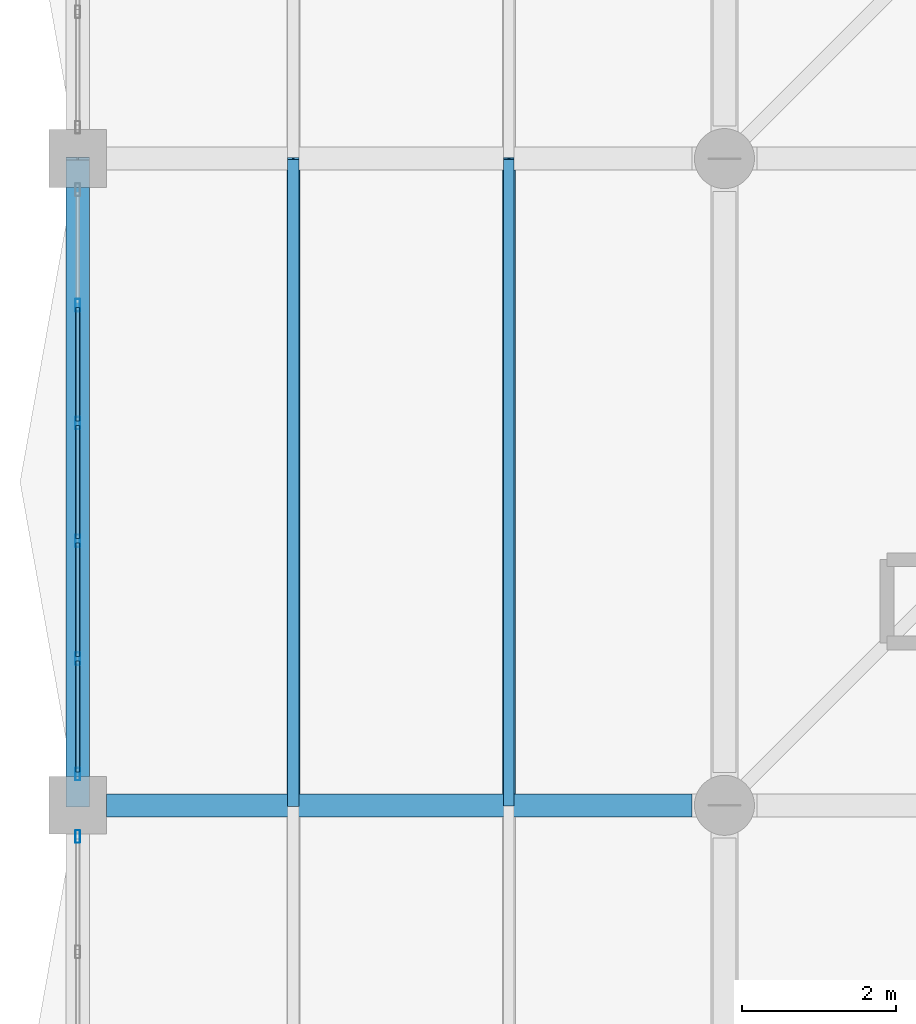
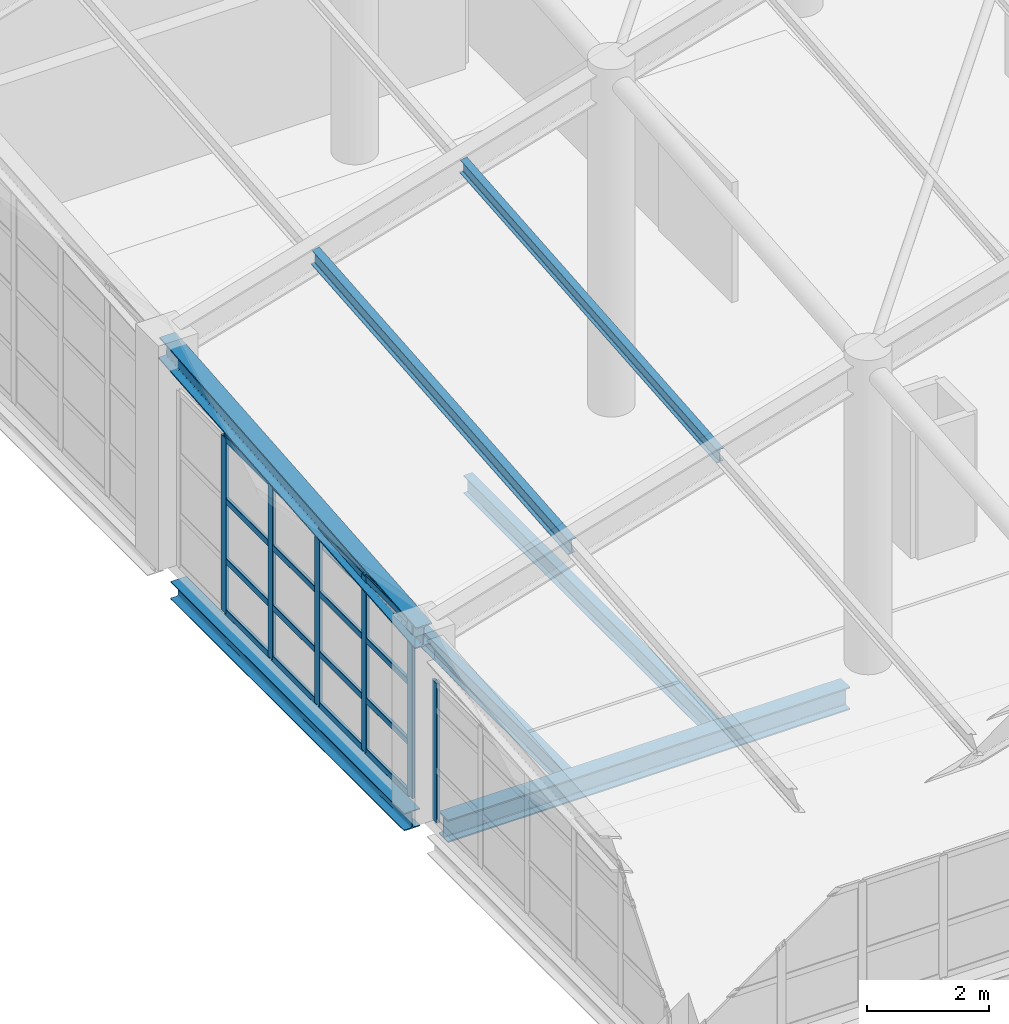
# One storey, part 34 of 95: 25 members, 4 beams, 2 elements without a shape of their own.
"""IFC4 building model written with IfcOpenShell, lengths in metres."""

from ifc_helpers import new_model, si_unit, direction, frame, origin, origin_2d, place, context, subcontext, project, spatial, hollow_rectangle, i_section, extrude, material, layer, layer_set, material_profile, profile_set, type_object, element, aggregate, save


model = new_model("IFC4")

# Units and contexts
model_context = context("Model", 3, precision=1e-05, world=origin(), true_north=direction((0.0, 1.0)))
body_context = subcontext(model_context, "Body", "Model", "MODEL_VIEW")
ifc_project = project(units=[si_unit("LENGTHUNIT", "METRE"), si_unit("AREAUNIT", "SQUARE_METRE"), si_unit("VOLUMEUNIT", "CUBIC_METRE"), si_unit("PLANEANGLEUNIT", "RADIAN"), si_unit("MASSUNIT", "GRAM", prefix="KILO"), si_unit("THERMODYNAMICTEMPERATUREUNIT", "KELVIN"), si_unit("POWERUNIT", "WATT")], contexts=[model_context])

# Site, building, storey
site_placement = place(None, origin())
site = spatial("IfcSite", under=ifc_project, at=site_placement, CompositionType="ELEMENT")
building_placement = place(site_placement, origin())
building = spatial("IfcBuilding", under=site, at=building_placement, Name="Mavoryth Pier Ferry Terminal", CompositionType="ELEMENT")
storey_placement = place(building_placement, frame((0.0, 0.0, 9.60009765625)))
storey = spatial("IfcBuildingStorey", under=building, at=storey_placement, Name="L02", CompositionType="ELEMENT", Elevation=9.60009765625)

# Beam
ifc_material_1 = material(Name="Steel S355J2", Category="steel")
ifc_material_profile_1 = material_profile(ifc_material_1, i_section(OverallWidth=0.300048828125, OverallDepth=0.449951171875, WebThickness=0.013916015625, FlangeThickness=0.02587890625, FilletRadius=0.027099609375, at=origin_2d()), Name="HEB 450", Category="steel")
ifc_profile_set_1 = profile_set([ifc_material_profile_1], Name="Steel S355J2 - HEB 450")
beam_type_1 = type_object("IfcBeamType", Name="Beam-Steel-HEB450", PredefinedType="BEAM", material=ifc_profile_set_1)
beam_1_placement = place(storey_placement, frame((0.375, 80.800048828125, -0.505126953125), z_axis=(1.0, 0.0, 0.0), x_axis=(0.0, 1.0, 0.0)))
element("IfcBeam", 1, at=beam_1_placement, inside=storey, type_object=beam_type_1, Name="Beam B02-SB02-0608", PredefinedType="BEAM", context=body_context, shape_type="SweptSolid", body=[
    extrude(i_section(OverallWidth=0.300048828125, OverallDepth=0.449951171875, WebThickness=0.013916015625, FlangeThickness=0.02587890625, FilletRadius=0.027099609375, at=origin_2d()), origin(), (0.0, 0.0, 1.0), 7.60009765625),
])

# Member
ifc_material_profile_2 = material_profile(ifc_material_1, i_section(OverallWidth=0.300048828125, OverallDepth=0.449951171875, WebThickness=0.013916015625, FlangeThickness=0.02587890625, FilletRadius=0.027099609375, at=origin_2d()), Name="HEB 450", Category="steel")
ifc_profile_set_2 = profile_set([ifc_material_profile_2], Name="Steel S355J2 - HEB 450")
member_type_1 = type_object("IfcMemberType", Name="Chord-Eave-HEB450", PredefinedType="CHORD", material=ifc_profile_set_2)
member_1_placement = place(storey_placement, frame((0.0, 80.800048828125, 3.443603515625), z_axis=(0.0, 0.996405760474, 0.084708680154), x_axis=(-1.0, 0.0, 0.0)))
element("IfcMember", 2, at=member_1_placement, inside=storey, type_object=member_type_1, Name="Steel Member MB-L02-0130", PredefinedType="CHORD", context=body_context, shape_type="SweptSolid", body=[
    extrude(i_section(OverallWidth=0.300048828125, OverallDepth=0.449951171875, WebThickness=0.013916015625, FlangeThickness=0.02587890625, FilletRadius=0.027099609375, at=origin_2d()), origin(), (0.0, 0.0, 1.0), 8.43017578125),
])

# Beams
ifc_material_profile_3 = material_profile(ifc_material_1, i_section(OverallWidth=0.169921875, OverallDepth=0.360107421875, WebThickness=0.008056640625, FlangeThickness=0.0126953125, FilletRadius=0.01806640625, at=origin_2d()), Name="IPE 360", Category="steel")
ifc_profile_set_3 = profile_set([ifc_material_profile_3], Name="Steel S355J2 - IPE 360")
beam_type_2 = type_object("IfcBeamType", Name="Joist-Steel-IPE360", PredefinedType="JOIST", material=ifc_profile_set_3)
for number, where, z_axis, x_axis, name in (
    (3, (2.800048828125, 80.949951171875, -0.460205078125), (0.0, 1.0, 0.0), (-1.0, 0.0, 0.0), "Beam B02-SJ02-0655"),
    (4, (5.60009765625, 80.949951171875, -0.460205078125), (0.0, 1.0, 0.0), (-1.0, 0.0, 0.0), "Beam B02-SJ02-0656"),
):
    element("IfcBeam", number, at=place(storey_placement, frame(where, z_axis=z_axis, x_axis=x_axis)), inside=storey, type_object=beam_type_2, Name=name, PredefinedType="JOIST", context=body_context, shape_type="SweptSolid", body=[
        extrude(i_section(OverallWidth=0.169921875, OverallDepth=0.360107421875, WebThickness=0.008056640625, FlangeThickness=0.0126953125, FilletRadius=0.01806640625, at=origin_2d()), origin(), (0.0, 0.0, 1.0), 8.10009765625),
    ])

# Curtain wall, member
ifc_material_2 = material(Name="Anodised Aluminium and Solar-Control Low-E Glass", Category="aluminium")
ifc_layer = layer(ifc_material_2, 0.179931640625, Name="Anodised Aluminium and Solar-Control Low-E Glass", Category="aluminium")
ifc_layer_set = layer_set([ifc_layer], Name="Anodised Aluminium and Solar-Control Low-E Glass - CW-Concourse-Mod1400")
curtain_wall_type = type_object("IfcCurtainWallType", Name="CW-Concourse-Mod1400", PredefinedType="USERDEFINED", material=ifc_layer_set)
curtain_wall_1_placement = place(storey_placement, origin())
curtain_wall_1 = element("IfcCurtainWall", 5, at=curtain_wall_1_placement, inside=storey, type_object=curtain_wall_type, Name="Curtain Wall CW-0222-021", ObjectType="UNITISED CURTAIN WALL", PredefinedType="USERDEFINED")
ifc_material_3 = material(Name="Anodised Aluminium EN AW-6063", Category="aluminium")
ifc_material_profile_4 = material_profile(ifc_material_3, hollow_rectangle(XDim=0.06005859375, YDim=0.1650390625, WallThickness=0.00390625, InnerFilletRadius=0.00390625, OuterFilletRadius=0.008056640625, at=origin_2d()), Name="AL-MULL 165x60x4", Category="aluminium")
ifc_profile_set_4 = profile_set([ifc_material_profile_4], Name="Anodised Aluminium EN AW-6063 - AL-MULL 165x60x4")
member_type_2 = type_object("IfcMemberType", Name="Mullion-Alum-165x60", PredefinedType="MULLION", material=ifc_profile_set_4)
member_2_placement = place(storey_placement, frame((0.0, 80.39501953125, 0.0), z_axis=(0.0, 0.0, 1.0), x_axis=(1.0, 0.0, 0.0)))
member_2 = element("IfcMember", 6, at=member_2_placement, type_object=member_type_2, Name="CW01 mullion 1", PredefinedType="MULLION", context=body_context, shape_type="SweptSolid", body=[
    extrude(hollow_rectangle(XDim=0.06005859375, YDim=0.1650390625, WallThickness=0.00390625, InnerFilletRadius=0.00390625, OuterFilletRadius=0.008056640625, at=origin_2d()), origin(), (0.0, 0.0, 1.0), 2.79296875),
])
aggregate(curtain_wall_1, [member_2])

# Curtain wall, members
curtain_wall_2_placement = place(storey_placement, origin())
curtain_wall_2 = element("IfcCurtainWall", 7, at=curtain_wall_2_placement, inside=storey, type_object=curtain_wall_type, Name="Curtain Wall CW-0222-023", ObjectType="UNITISED CURTAIN WALL", PredefinedType="USERDEFINED")
member_3_placement = place(storey_placement, frame((0.0, 87.294921875, 0.0), z_axis=(0.0, 0.0, 1.0), x_axis=(1.0, 0.0, 0.0)))
member_3 = element("IfcMember", 8, at=member_3_placement, type_object=member_type_2, Name="CW01 mullion 2", PredefinedType="MULLION", context=body_context, shape_type="SweptSolid", body=[
    extrude(hollow_rectangle(XDim=0.06005859375, YDim=0.1650390625, WallThickness=0.00390625, InnerFilletRadius=0.00390625, OuterFilletRadius=0.008056640625, at=origin_2d()), origin(), (0.0, 0.0, 1.0), 3.50732421875),
])
member_4_placement = place(storey_placement, frame((0.0, 85.764892578125, 0.0), z_axis=(0.0, 0.0, 1.0), x_axis=(1.0, 0.0, 0.0)))
member_4 = element("IfcMember", 9, at=member_4_placement, type_object=member_type_2, Name="CW01 mullion 3", PredefinedType="MULLION", context=body_context, shape_type="SweptSolid", body=[
    extrude(hollow_rectangle(XDim=0.06005859375, YDim=0.1650390625, WallThickness=0.00390625, InnerFilletRadius=0.00390625, OuterFilletRadius=0.008056640625, at=origin_2d()), origin(), (0.0, 0.0, 1.0), 3.50732421875),
])
member_5_placement = place(storey_placement, frame((0.0, 84.235107421875, 0.0), z_axis=(0.0, 0.0, 1.0), x_axis=(1.0, 0.0, 0.0)))
member_5 = element("IfcMember", 10, at=member_5_placement, type_object=member_type_2, Name="CW01 mullion 4", PredefinedType="MULLION", context=body_context, shape_type="SweptSolid", body=[
    extrude(hollow_rectangle(XDim=0.06005859375, YDim=0.1650390625, WallThickness=0.00390625, InnerFilletRadius=0.00390625, OuterFilletRadius=0.008056640625, at=origin_2d()), origin(), (0.0, 0.0, 1.0), 3.50732421875),
])
member_6_placement = place(storey_placement, frame((0.0, 82.705078125, 0.0), z_axis=(0.0, 0.0, 1.0), x_axis=(1.0, 0.0, 0.0)))
member_6 = element("IfcMember", 11, at=member_6_placement, type_object=member_type_2, Name="CW01 mullion 5", PredefinedType="MULLION", context=body_context, shape_type="SweptSolid", body=[
    extrude(hollow_rectangle(XDim=0.06005859375, YDim=0.1650390625, WallThickness=0.00390625, InnerFilletRadius=0.00390625, OuterFilletRadius=0.008056640625, at=origin_2d()), origin(), (0.0, 0.0, 1.0), 3.50732421875),
])
member_7_placement = place(storey_placement, frame((0.0, 81.205078125, 0.0), z_axis=(0.0, 0.0, 1.0), x_axis=(1.0, 0.0, 0.0)))
member_7 = element("IfcMember", 12, at=member_7_placement, type_object=member_type_2, Name="CW01 mullion 6", PredefinedType="MULLION", context=body_context, shape_type="SweptSolid", body=[
    extrude(hollow_rectangle(XDim=0.06005859375, YDim=0.1650390625, WallThickness=0.00390625, InnerFilletRadius=0.00390625, OuterFilletRadius=0.008056640625, at=origin_2d()), origin(), (0.0, 0.0, 1.0), 3.50732421875),
])

# Members
ifc_material_profile_5 = material_profile(ifc_material_1, i_section(OverallWidth=0.135009765625, OverallDepth=0.27001953125, WebThickness=0.006591796875, FlangeThickness=0.01025390625, FilletRadius=0.014892578125, at=origin_2d()), Name="IPE 270", Category="steel")
ifc_profile_set_5 = profile_set([ifc_material_profile_5], Name="Steel S355J2 - IPE 270")
member_type_3 = type_object("IfcMemberType", Name="Purlin-Roof-IPE270", PredefinedType="PURLIN", material=ifc_profile_set_5)
member_8_placement = place(storey_placement, frame((5.60009765625, 80.800048828125, 5.089111328125), z_axis=(0.0, 0.9964033157, 0.084737432475), x_axis=(-1.0, 0.0, 0.0)))
element("IfcMember", 13, at=member_8_placement, inside=storey, type_object=member_type_3, Name="Steel Member MB-L02-0136", PredefinedType="PURLIN", context=body_context, shape_type="SweptSolid", body=[
    extrude(i_section(OverallWidth=0.135009765625, OverallDepth=0.27001953125, WebThickness=0.006591796875, FlangeThickness=0.01025390625, FilletRadius=0.014892578125, at=origin_2d()), origin(), (0.0, 0.0, 1.0), 8.43017578125),
])
ifc_material_profile_6 = material_profile(ifc_material_1, i_section(OverallWidth=0.14990234375, OverallDepth=0.300048828125, WebThickness=0.007080078125, FlangeThickness=0.0107421875, FilletRadius=0.014892578125, at=origin_2d()), Name="IPE 300", Category="steel")
ifc_profile_set_6 = profile_set([ifc_material_profile_6], Name="Steel S355J2 - IPE 300")
member_type_4 = type_object("IfcMemberType", Name="Purlin-Roof-IPE300", PredefinedType="PURLIN", material=ifc_profile_set_6)
member_9_placement = place(storey_placement, frame((2.800048828125, 80.800048828125, 4.25634765625), z_axis=(0.0, 0.9964033157, 0.084737432475), x_axis=(-1.0, 0.0, 0.0)))
element("IfcMember", 14, at=member_9_placement, inside=storey, type_object=member_type_4, Name="Steel Member MB-L02-0135", PredefinedType="PURLIN", context=body_context, shape_type="SweptSolid", body=[
    extrude(i_section(OverallWidth=0.14990234375, OverallDepth=0.300048828125, WebThickness=0.007080078125, FlangeThickness=0.0107421875, FilletRadius=0.014892578125, at=origin_2d()), origin(), (0.0, 0.0, 1.0), 8.43017578125),
])

# Beam
ifc_material_profile_7 = material_profile(ifc_material_1, i_section(OverallWidth=0.300048828125, OverallDepth=0.35009765625, WebThickness=0.010009765625, FlangeThickness=0.017578125, FilletRadius=0.027099609375, at=origin_2d()), Name="HEA 360", Category="steel")
ifc_profile_set_7 = profile_set([ifc_material_profile_7], Name="Steel S355J2 - HEA 360")
beam_type_3 = type_object("IfcBeamType", Name="Spandrel-Steel-HEA360", PredefinedType="SPANDREL", material=ifc_profile_set_7)
beam_2_placement = place(storey_placement, frame((0.0, 81.175048828125, -0.455078125), z_axis=(0.0, 1.0, 0.0), x_axis=(-1.0, 0.0, 0.0)))
element("IfcBeam", 15, at=beam_2_placement, inside=storey, type_object=beam_type_3, Name="Beam B02-SP03-0629", PredefinedType="SPANDREL", context=body_context, shape_type="SweptSolid", body=[
    extrude(i_section(OverallWidth=0.300048828125, OverallDepth=0.35009765625, WebThickness=0.010009765625, FlangeThickness=0.017578125, FilletRadius=0.027099609375, at=origin_2d()), origin(), (0.0, 0.0, 1.0), 7.64990234375),
])

# Member
ifc_material_profile_8 = material_profile(ifc_material_3, hollow_rectangle(XDim=0.06005859375, YDim=0.125, WallThickness=0.00390625, InnerFilletRadius=0.00390625, OuterFilletRadius=0.008056640625, at=origin_2d()), Name="AL-TRAN 125x60x4", Category="aluminium")
ifc_profile_set_8 = profile_set([ifc_material_profile_8], Name="Anodised Aluminium EN AW-6063 - AL-TRAN 125x60x4")
member_type_5 = type_object("IfcMemberType", Name="Transom-Alum-125x60", PredefinedType="USERDEFINED", material=ifc_profile_set_8)
member_10_placement = place(storey_placement, frame((0.0, 87.264892578125, 0.02978515625), z_axis=(0.0, -1.0, 0.0), x_axis=(1.0, 0.0, 0.0)))
member_10 = element("IfcMember", 16, at=member_10_placement, type_object=member_type_5, Name="CW01 transom 2.1", ObjectType="TRANSOM", PredefinedType="USERDEFINED", context=body_context, shape_type="SweptSolid", body=[
    extrude(hollow_rectangle(XDim=0.06005859375, YDim=0.125, WallThickness=0.00390625, InnerFilletRadius=0.00390625, OuterFilletRadius=0.008056640625, at=origin_2d()), origin(), (0.0, 0.0, 1.0), 1.469970703125),
])

member_11_placement = place(storey_placement, frame((0.0, 87.264892578125, 1.0498046875), z_axis=(0.0, -1.0, 0.0), x_axis=(1.0, 0.0, 0.0)))
member_11 = element("IfcMember", 17, at=member_11_placement, type_object=member_type_5, Name="CW01 transom 2.2", ObjectType="TRANSOM", PredefinedType="USERDEFINED", context=body_context, shape_type="SweptSolid", body=[
    extrude(hollow_rectangle(XDim=0.06005859375, YDim=0.125, WallThickness=0.00390625, InnerFilletRadius=0.00390625, OuterFilletRadius=0.008056640625, at=origin_2d()), origin(), (0.0, 0.0, 1.0), 1.469970703125),
])

member_12_placement = place(storey_placement, frame((0.0, 87.264892578125, 2.25), z_axis=(0.0, -1.0, 0.0), x_axis=(1.0, 0.0, 0.0)))
member_12 = element("IfcMember", 18, at=member_12_placement, type_object=member_type_5, Name="CW01 transom 2.3", ObjectType="TRANSOM", PredefinedType="USERDEFINED", context=body_context, shape_type="SweptSolid", body=[
    extrude(hollow_rectangle(XDim=0.06005859375, YDim=0.125, WallThickness=0.00390625, InnerFilletRadius=0.00390625, OuterFilletRadius=0.008056640625, at=origin_2d()), origin(), (0.0, 0.0, 1.0), 1.469970703125),
])

member_13_placement = place(storey_placement, frame((0.0, 87.264892578125, 3.477294921875), z_axis=(0.0, -1.0, 0.0), x_axis=(1.0, 0.0, 0.0)))
member_13 = element("IfcMember", 19, at=member_13_placement, type_object=member_type_5, Name="CW01 transom 2.4", ObjectType="TRANSOM", PredefinedType="USERDEFINED", context=body_context, shape_type="SweptSolid", body=[
    extrude(hollow_rectangle(XDim=0.06005859375, YDim=0.125, WallThickness=0.00390625, InnerFilletRadius=0.00390625, OuterFilletRadius=0.008056640625, at=origin_2d()), origin(), (0.0, 0.0, 1.0), 1.469970703125),
])

member_14_placement = place(storey_placement, frame((0.0, 85.735107421875, 0.02978515625), z_axis=(0.0, -1.0, 0.0), x_axis=(1.0, 0.0, 0.0)))
member_14 = element("IfcMember", 20, at=member_14_placement, type_object=member_type_5, Name="CW01 transom 3.1", ObjectType="TRANSOM", PredefinedType="USERDEFINED", context=body_context, shape_type="SweptSolid", body=[
    extrude(hollow_rectangle(XDim=0.06005859375, YDim=0.125, WallThickness=0.00390625, InnerFilletRadius=0.00390625, OuterFilletRadius=0.008056640625, at=origin_2d()), origin(), (0.0, 0.0, 1.0), 1.47021484375),
])

member_15_placement = place(storey_placement, frame((0.0, 85.735107421875, 1.0498046875), z_axis=(0.0, -1.0, 0.0), x_axis=(1.0, 0.0, 0.0)))
member_15 = element("IfcMember", 21, at=member_15_placement, type_object=member_type_5, Name="CW01 transom 3.2", ObjectType="TRANSOM", PredefinedType="USERDEFINED", context=body_context, shape_type="SweptSolid", body=[
    extrude(hollow_rectangle(XDim=0.06005859375, YDim=0.125, WallThickness=0.00390625, InnerFilletRadius=0.00390625, OuterFilletRadius=0.008056640625, at=origin_2d()), origin(), (0.0, 0.0, 1.0), 1.47021484375),
])

member_16_placement = place(storey_placement, frame((0.0, 85.735107421875, 2.25), z_axis=(0.0, -1.0, 0.0), x_axis=(1.0, 0.0, 0.0)))
member_16 = element("IfcMember", 22, at=member_16_placement, type_object=member_type_5, Name="CW01 transom 3.3", ObjectType="TRANSOM", PredefinedType="USERDEFINED", context=body_context, shape_type="SweptSolid", body=[
    extrude(hollow_rectangle(XDim=0.06005859375, YDim=0.125, WallThickness=0.00390625, InnerFilletRadius=0.00390625, OuterFilletRadius=0.008056640625, at=origin_2d()), origin(), (0.0, 0.0, 1.0), 1.47021484375),
])

member_17_placement = place(storey_placement, frame((0.0, 85.735107421875, 3.477294921875), z_axis=(0.0, -1.0, 0.0), x_axis=(1.0, 0.0, 0.0)))
member_17 = element("IfcMember", 23, at=member_17_placement, type_object=member_type_5, Name="CW01 transom 3.4", ObjectType="TRANSOM", PredefinedType="USERDEFINED", context=body_context, shape_type="SweptSolid", body=[
    extrude(hollow_rectangle(XDim=0.06005859375, YDim=0.125, WallThickness=0.00390625, InnerFilletRadius=0.00390625, OuterFilletRadius=0.008056640625, at=origin_2d()), origin(), (0.0, 0.0, 1.0), 1.47021484375),
])

member_18_placement = place(storey_placement, frame((0.0, 84.205078125, 0.02978515625), z_axis=(0.0, -1.0, 0.0), x_axis=(1.0, 0.0, 0.0)))
member_18 = element("IfcMember", 24, at=member_18_placement, type_object=member_type_5, Name="CW01 transom 4.1", ObjectType="TRANSOM", PredefinedType="USERDEFINED", context=body_context, shape_type="SweptSolid", body=[
    extrude(hollow_rectangle(XDim=0.06005859375, YDim=0.125, WallThickness=0.00390625, InnerFilletRadius=0.00390625, OuterFilletRadius=0.008056640625, at=origin_2d()), origin(), (0.0, 0.0, 1.0), 1.469970703125),
])

member_19_placement = place(storey_placement, frame((0.0, 84.205078125, 1.0498046875), z_axis=(0.0, -1.0, 0.0), x_axis=(1.0, 0.0, 0.0)))
member_19 = element("IfcMember", 25, at=member_19_placement, type_object=member_type_5, Name="CW01 transom 4.2", ObjectType="TRANSOM", PredefinedType="USERDEFINED", context=body_context, shape_type="SweptSolid", body=[
    extrude(hollow_rectangle(XDim=0.06005859375, YDim=0.125, WallThickness=0.00390625, InnerFilletRadius=0.00390625, OuterFilletRadius=0.008056640625, at=origin_2d()), origin(), (0.0, 0.0, 1.0), 1.469970703125),
])

member_20_placement = place(storey_placement, frame((0.0, 84.205078125, 2.25), z_axis=(0.0, -1.0, 0.0), x_axis=(1.0, 0.0, 0.0)))
member_20 = element("IfcMember", 26, at=member_20_placement, type_object=member_type_5, Name="CW01 transom 4.3", ObjectType="TRANSOM", PredefinedType="USERDEFINED", context=body_context, shape_type="SweptSolid", body=[
    extrude(hollow_rectangle(XDim=0.06005859375, YDim=0.125, WallThickness=0.00390625, InnerFilletRadius=0.00390625, OuterFilletRadius=0.008056640625, at=origin_2d()), origin(), (0.0, 0.0, 1.0), 1.469970703125),
])

member_21_placement = place(storey_placement, frame((0.0, 84.205078125, 3.477294921875), z_axis=(0.0, -1.0, 0.0), x_axis=(1.0, 0.0, 0.0)))
member_21 = element("IfcMember", 27, at=member_21_placement, type_object=member_type_5, Name="CW01 transom 4.4", ObjectType="TRANSOM", PredefinedType="USERDEFINED", context=body_context, shape_type="SweptSolid", body=[
    extrude(hollow_rectangle(XDim=0.06005859375, YDim=0.125, WallThickness=0.00390625, InnerFilletRadius=0.00390625, OuterFilletRadius=0.008056640625, at=origin_2d()), origin(), (0.0, 0.0, 1.0), 1.469970703125),
])

member_22_placement = place(storey_placement, frame((0.0, 82.675048828125, 0.02978515625), z_axis=(0.0, -1.0, 0.0), x_axis=(1.0, 0.0, 0.0)))
member_22 = element("IfcMember", 28, at=member_22_placement, type_object=member_type_5, Name="CW01 transom 5.1", ObjectType="TRANSOM", PredefinedType="USERDEFINED", context=body_context, shape_type="SweptSolid", body=[
    extrude(hollow_rectangle(XDim=0.06005859375, YDim=0.125, WallThickness=0.00390625, InnerFilletRadius=0.00390625, OuterFilletRadius=0.008056640625, at=origin_2d()), origin(), (0.0, 0.0, 1.0), 1.43994140625),
])

member_23_placement = place(storey_placement, frame((0.0, 82.675048828125, 1.0498046875), z_axis=(0.0, -1.0, 0.0), x_axis=(1.0, 0.0, 0.0)))
member_23 = element("IfcMember", 29, at=member_23_placement, type_object=member_type_5, Name="CW01 transom 5.2", ObjectType="TRANSOM", PredefinedType="USERDEFINED", context=body_context, shape_type="SweptSolid", body=[
    extrude(hollow_rectangle(XDim=0.06005859375, YDim=0.125, WallThickness=0.00390625, InnerFilletRadius=0.00390625, OuterFilletRadius=0.008056640625, at=origin_2d()), origin(), (0.0, 0.0, 1.0), 1.43994140625),
])

member_24_placement = place(storey_placement, frame((0.0, 82.675048828125, 2.25), z_axis=(0.0, -1.0, 0.0), x_axis=(1.0, 0.0, 0.0)))
member_24 = element("IfcMember", 30, at=member_24_placement, type_object=member_type_5, Name="CW01 transom 5.3", ObjectType="TRANSOM", PredefinedType="USERDEFINED", context=body_context, shape_type="SweptSolid", body=[
    extrude(hollow_rectangle(XDim=0.06005859375, YDim=0.125, WallThickness=0.00390625, InnerFilletRadius=0.00390625, OuterFilletRadius=0.008056640625, at=origin_2d()), origin(), (0.0, 0.0, 1.0), 1.43994140625),
])

member_25_placement = place(storey_placement, frame((0.0, 82.675048828125, 3.477294921875), z_axis=(0.0, -1.0, 0.0), x_axis=(1.0, 0.0, 0.0)))
member_25 = element("IfcMember", 31, at=member_25_placement, type_object=member_type_5, Name="CW01 transom 5.4", ObjectType="TRANSOM", PredefinedType="USERDEFINED", context=body_context, shape_type="SweptSolid", body=[
    extrude(hollow_rectangle(XDim=0.06005859375, YDim=0.125, WallThickness=0.00390625, InnerFilletRadius=0.00390625, OuterFilletRadius=0.008056640625, at=origin_2d()), origin(), (0.0, 0.0, 1.0), 1.43994140625),
])

aggregate(curtain_wall_2, [member_3, member_4, member_5, member_6, member_7, member_10, member_11, member_12, member_13, member_14, member_15, member_16, member_17, member_18, member_19, member_20, member_21, member_22, member_23, member_24, member_25])

save(model, "model.ifc")
